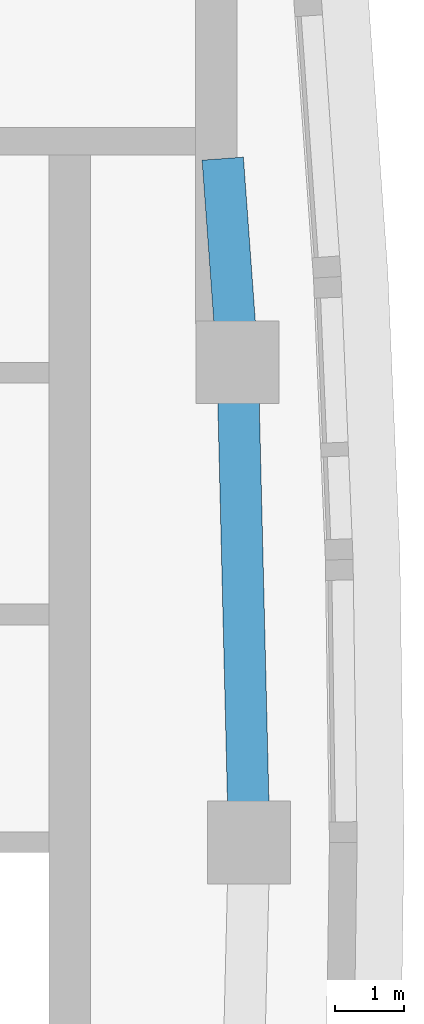
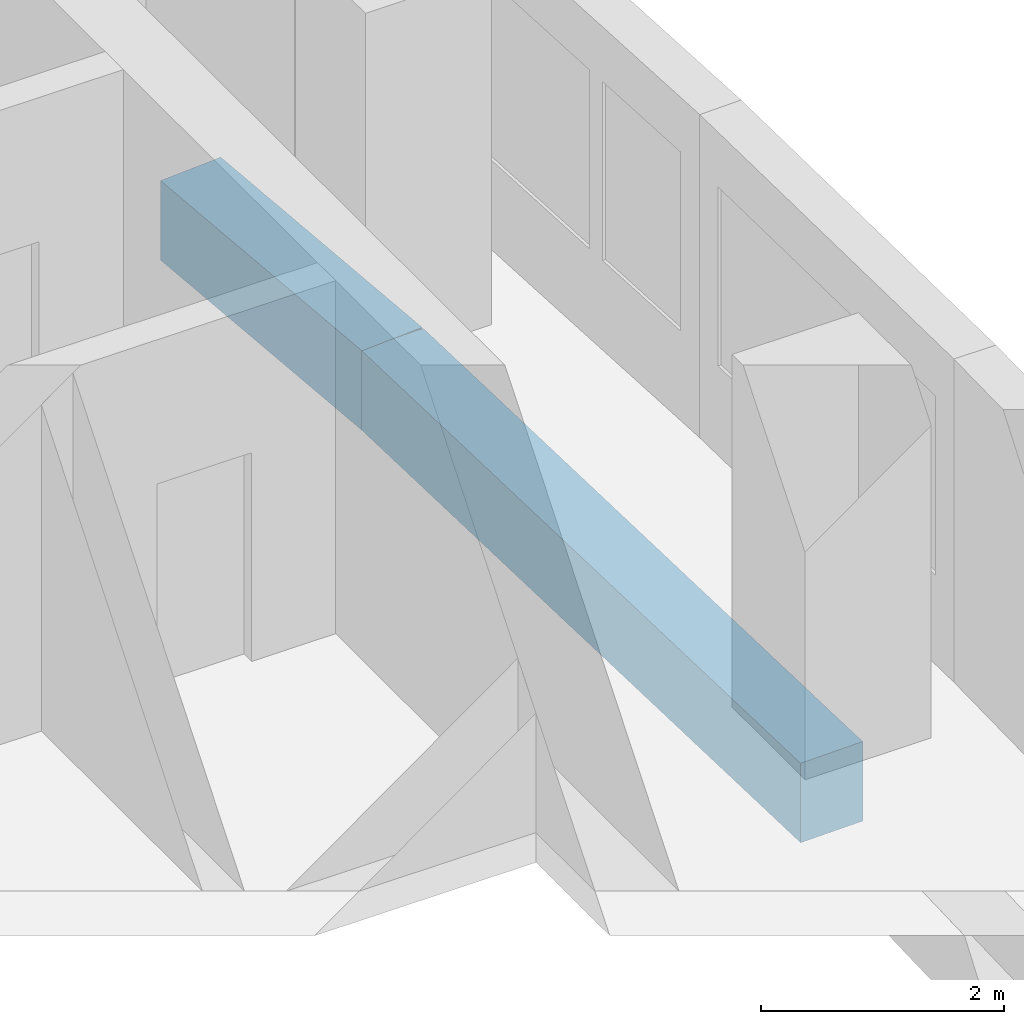
# One storey, part 5 of 16: 2 beams.
"""IFC4 building model written with IfcOpenShell, lengths in metres."""

from ifc_helpers import new_model, si_unit, direction, frame, origin, origin_2d, place, context, subcontext, project, spatial, rectangle, extrude, material, material_profile, profile_set, type_object, element, save


model = new_model("IFC4")

# Units and contexts
model_context = context("Model", 3, precision=1e-05, world=origin(), true_north=direction((0.0, 1.0)))
body_context = subcontext(model_context, "Body", "Model", "MODEL_VIEW")
ifc_project = project(units=[si_unit("LENGTHUNIT", "METRE"), si_unit("AREAUNIT", "SQUARE_METRE"), si_unit("VOLUMEUNIT", "CUBIC_METRE"), si_unit("PLANEANGLEUNIT", "RADIAN"), si_unit("MASSUNIT", "GRAM", prefix="KILO")], contexts=[model_context])

# Site, building, storey
site_placement = place(None, origin())
site = spatial("IfcSite", under=ifc_project, at=site_placement, CompositionType="ELEMENT")
building_placement = place(site_placement, origin())
building = spatial("IfcBuilding", under=site, at=building_placement, Name="Ostrand Prow Hotel Tower", CompositionType="ELEMENT")
storey_placement = place(building_placement, frame((0.0, 0.0, 252.75)))
storey = spatial("IfcBuildingStorey", under=building, at=storey_placement, Name="L64", CompositionType="ELEMENT", Elevation=252.75)

# Beams
ifc_material = material(Name="Concrete C50/60", Category="concrete")
ifc_material_profile = material_profile(ifc_material, rectangle(XDim=0.60009765625, YDim=0.800048828125, at=origin_2d()), Name="RC 600x800")
ifc_profile_set = profile_set([ifc_material_profile], Name="Concrete C50/60")
beam_type = type_object("IfcBeamType", Name="Edge beam 600x800 C50/60", PredefinedType="SPANDREL", material=ifc_profile_set)
beam_1_placement = place(storey_placement, frame((64.5, 0.0, -0.699951171875), z_axis=(-0.024223820991, 0.999706560195, 0.0), x_axis=(-0.999706560195, -0.024223820991, 0.0)))
element("IfcBeam", 1, at=beam_1_placement, inside=storey, type_object=beam_type, Name="Edge beam B3-B4", PredefinedType="SPANDREL", context=body_context, shape_type="SweptSolid", body=[
    extrude(rectangle(XDim=0.60009765625, YDim=0.800048828125, at=origin_2d()), origin(), (0.0, 0.0, 1.0), 6.9541015625),
])
beam_2_placement = place(storey_placement, frame((64.33154296875, 6.9521484375, -0.699951171875), z_axis=(-0.072691068771, 0.997354504938, 0.0), x_axis=(-0.997354504938, -0.072691068771, 0.0)))
element("IfcBeam", 2, at=beam_2_placement, inside=storey, type_object=beam_type, Name="Edge beam B4-B5", PredefinedType="SPANDREL", context=body_context, shape_type="SweptSolid", body=[
    extrude(rectangle(XDim=0.60009765625, YDim=0.800048828125, at=origin_2d()), origin(), (0.0, 0.0, 1.0), 2.95556640625),
])

save(model, "model.ifc")
